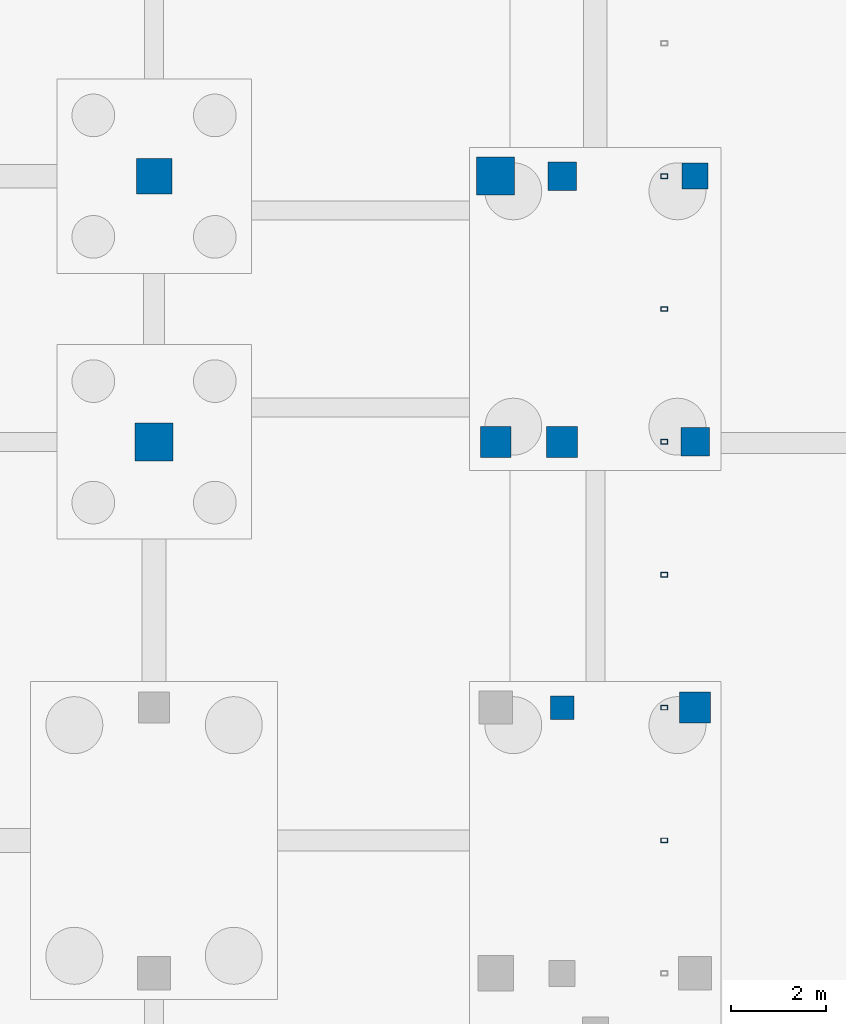
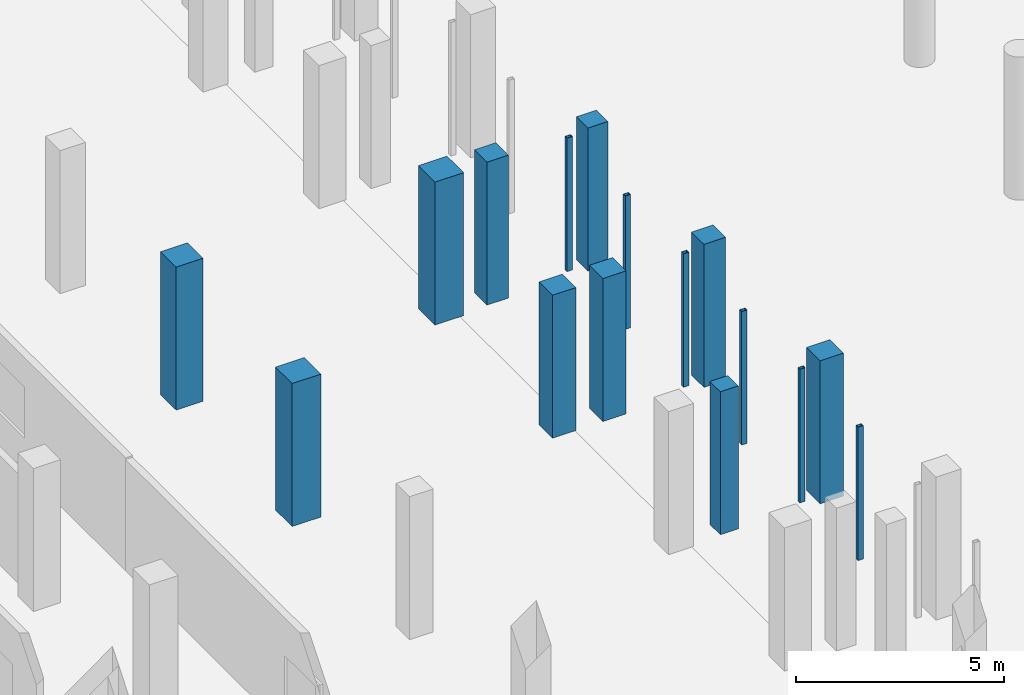
# One storey, part 13 of 34: 16 columns.
"""IFC4 building model written with IfcOpenShell, lengths in metres."""

from ifc_helpers import new_model, si_unit, direction, frame, origin, origin_2d, place, context, subcontext, project, spatial, rectangle, hollow_rectangle, extrude, material, material_profile, profile_set, type_object, element, save


model = new_model("IFC4")

# Units and contexts
model_context = context("Model", 3, precision=1e-05, world=origin(), true_north=direction((0.0, 1.0)))
body_context = subcontext(model_context, "Body", "Model", "MODEL_VIEW")
ifc_project = project(units=[si_unit("LENGTHUNIT", "METRE"), si_unit("AREAUNIT", "SQUARE_METRE"), si_unit("VOLUMEUNIT", "CUBIC_METRE"), si_unit("PLANEANGLEUNIT", "RADIAN"), si_unit("MASSUNIT", "GRAM", prefix="KILO")], contexts=[model_context])

# Site, building, storey
site_placement = place(None, origin())
site = spatial("IfcSite", under=ifc_project, at=site_placement, CompositionType="ELEMENT")
building_placement = place(site_placement, origin())
building = spatial("IfcBuilding", under=site, at=building_placement, Name="Vinh Khe Railworks Police Headquarters", CompositionType="ELEMENT")
storey_placement = place(building_placement, frame((0.0, 0.0, -4.199951171875)))
storey = spatial("IfcBuildingStorey", under=building, at=storey_placement, Name="B1", CompositionType="ELEMENT", Elevation=-4.199951171875)

# Columns
ifc_material_1 = material(Name="Steel S355JR", Category="steel")
ifc_material_profile_1 = material_profile(ifc_material_1, hollow_rectangle(XDim=0.14990234375, YDim=0.10009765625, WallThickness=0.008056640625, at=origin_2d()), Name="RHS 150x100x8")
ifc_profile_set_1 = profile_set([ifc_material_profile_1], Name="Steel S355JR")
column_type_1 = type_object("IfcColumnType", Name="COL-QUILT-POST", PredefinedType="COLUMN", material=ifc_profile_set_1)
for number, where, z_axis, x_axis, name in (
    (1, (25.75, 33.60009765625, 0.0), (0.0, 0.0, 1.0), (1.0, 0.0, 0.0), "Patchwork Quilt Plinth Column W-4 (B1)"),
    (2, (25.75, 36.39990234375, 0.0), (0.0, 0.0, 1.0), (1.0, 0.0, 0.0), "Patchwork Quilt Plinth Column W-5 (B1)"),
    (3, (25.75, 39.199951171875, 0.0), (0.0, 0.0, 1.0), (1.0, 0.0, 0.0), "Patchwork Quilt Plinth Column W-6 (B1)"),
    (4, (25.75, 42.0, 0.0), (0.0, 0.0, 1.0), (1.0, 0.0, 0.0), "Patchwork Quilt Plinth Column W-7 (B1)"),
    (5, (25.75, 44.800048828125, 0.0), (0.0, 0.0, 1.0), (1.0, 0.0, 0.0), "Patchwork Quilt Plinth Column W-8 (B1)"),
    (6, (25.75, 47.60009765625, 0.0), (0.0, 0.0, 1.0), (1.0, 0.0, 0.0), "Patchwork Quilt Plinth Column W-9 (B1)"),
):
    element("IfcColumn", number, at=place(storey_placement, frame(where, z_axis=z_axis, x_axis=x_axis)), inside=storey, type_object=column_type_1, Name=name, PredefinedType="COLUMN", context=body_context, shape_type="SweptSolid", body=[
        extrude(hollow_rectangle(XDim=0.14990234375, YDim=0.10009765625, WallThickness=0.008056640625, at=origin_2d()), origin(), (0.0, 0.0, 1.0), 3.919921875),
    ])
ifc_material_2 = material(Name="Concrete C40/50 (B40)", Category="concrete")
ifc_material_profile_2 = material_profile(ifc_material_2, rectangle(XDim=0.5, YDim=0.5, at=origin_2d()), Name="RC 500x500")
ifc_profile_set_2 = profile_set([ifc_material_profile_2], Name="Concrete C40/50 (B40)")
column_type_2 = type_object("IfcColumnType", Name="RC Column RC 500x500", PredefinedType="COLUMN", material=ifc_profile_set_2)
column_1_placement = place(storey_placement, frame((23.60009765625, 36.39990234375, 0.0), z_axis=(0.0, 0.0, 1.0), x_axis=(1.0, 0.0, 0.0)))
element("IfcColumn", 7, at=column_1_placement, inside=storey, type_object=column_type_2, Name="Column COL-B1-CC-07-0670", PredefinedType="COLUMN", context=body_context, shape_type="SweptSolid", body=[
    extrude(rectangle(XDim=0.5, YDim=0.5, at=origin_2d()), origin(), (0.0, 0.0, 1.0), 4.199951171875),
])
ifc_material_profile_3 = material_profile(ifc_material_2, rectangle(XDim=0.550048828125, YDim=0.550048828125, at=origin_2d()), Name="RC 550x550")
ifc_profile_set_3 = profile_set([ifc_material_profile_3], Name="Concrete C40/50 (B40)")
column_type_3 = type_object("IfcColumnType", Name="RC Column RC 550x550", PredefinedType="COLUMN", material=ifc_profile_set_3)
column_2_placement = place(storey_placement, frame((26.39990234375, 47.60009765625, 0.0), z_axis=(0.0, 0.0, 1.0), x_axis=(1.0, 0.0, 0.0)))
element("IfcColumn", 8, at=column_2_placement, inside=storey, type_object=column_type_3, Name="Column COL-B1-CC-06-0742", PredefinedType="COLUMN", context=body_context, shape_type="SweptSolid", body=[
    extrude(rectangle(XDim=0.550048828125, YDim=0.550048828125, at=origin_2d()), origin(), (0.0, 0.0, 1.0), 4.199951171875),
])
ifc_material_profile_4 = material_profile(ifc_material_2, rectangle(XDim=0.60009765625, YDim=0.60009765625, at=origin_2d()), Name="RC 600x600")
ifc_profile_set_4 = profile_set([ifc_material_profile_4], Name="Concrete C40/50 (B40)")
column_type_4 = type_object("IfcColumnType", Name="RC Column RC 600x600", PredefinedType="COLUMN", material=ifc_profile_set_4)
for number, where, z_axis, x_axis, name in (
    (9, (23.60009765625, 47.60009765625, 0.0), (0.0, 0.0, 1.0), (1.0, 0.0, 0.0), "Column COL-B1-CC-05-0680"),
    (10, (26.39990234375, 42.0, 0.0), (0.0, 0.0, 1.0), (1.0, 0.0, 0.0), "Column COL-B1-CC-05-0737"),
):
    element("IfcColumn", number, at=place(storey_placement, frame(where, z_axis=z_axis, x_axis=x_axis)), inside=storey, type_object=column_type_4, Name=name, PredefinedType="COLUMN", context=body_context, shape_type="SweptSolid", body=[
        extrude(rectangle(XDim=0.60009765625, YDim=0.60009765625, at=origin_2d()), origin(), (0.0, 0.0, 1.0), 4.199951171875),
    ])
ifc_material_profile_5 = material_profile(ifc_material_2, rectangle(XDim=0.64990234375, YDim=0.64990234375, at=origin_2d()), Name="RC 650x650")
ifc_profile_set_5 = profile_set([ifc_material_profile_5], Name="Concrete C40/50 (B40)")
column_type_5 = type_object("IfcColumnType", Name="RC Column RC 650x650", PredefinedType="COLUMN", material=ifc_profile_set_5)
for number, where, z_axis, x_axis, name in (
    (11, (22.199951171875, 42.0, 0.0), (0.0, 0.0, 1.0), (1.0, 0.0, 0.0), "Column COL-B1-CC-04-0544"),
    (12, (23.60009765625, 42.0, 0.0), (0.0, 0.0, 1.0), (1.0, 0.0, 0.0), "Column COL-B1-CC-04-0675"),
    (13, (26.39990234375, 36.39990234375, 0.0), (0.0, 0.0, 1.0), (1.0, 0.0, 0.0), "Column COL-B1-CC-04-0732"),
):
    element("IfcColumn", number, at=place(storey_placement, frame(where, z_axis=z_axis, x_axis=x_axis)), inside=storey, type_object=column_type_5, Name=name, PredefinedType="COLUMN", context=body_context, shape_type="SweptSolid", body=[
        extrude(rectangle(XDim=0.64990234375, YDim=0.64990234375, at=origin_2d()), origin(), (0.0, 0.0, 1.0), 4.199951171875),
    ])
ifc_material_profile_6 = material_profile(ifc_material_2, rectangle(XDim=0.75, YDim=0.75, at=origin_2d()), Name="RC 750x750")
ifc_profile_set_6 = profile_set([ifc_material_profile_6], Name="Concrete C40/50 (B40)")
column_type_6 = type_object("IfcColumnType", Name="RC Column RC 750x750", PredefinedType="COLUMN", material=ifc_profile_set_6)
column_3_placement = place(storey_placement, frame((15.0, 47.60009765625, 0.0), z_axis=(0.0, 0.0, 1.0), x_axis=(1.0, 0.0, 0.0)))
element("IfcColumn", 14, at=column_3_placement, inside=storey, type_object=column_type_6, Name="Column COL-B1-CC-02-0391", PredefinedType="COLUMN", context=body_context, shape_type="SweptSolid", body=[
    extrude(rectangle(XDim=0.75, YDim=0.75, at=origin_2d()), origin(), (0.0, 0.0, 1.0), 4.199951171875),
])
ifc_material_profile_7 = material_profile(ifc_material_2, rectangle(XDim=0.800048828125, YDim=0.800048828125, at=origin_2d()), Name="RC 800x800")
ifc_profile_set_7 = profile_set([ifc_material_profile_7], Name="Concrete C40/50 (B40)")
column_type_7 = type_object("IfcColumnType", Name="RC Column RC 800x800", PredefinedType="COLUMN", material=ifc_profile_set_7)
for number, where, z_axis, x_axis, name in (
    (15, (15.0, 42.0, 0.0), (0.0, 0.0, 1.0), (1.0, 0.0, 0.0), "Column COL-B1-CC-01-0381"),
    (16, (22.199951171875, 47.60009765625, 0.0), (0.0, 0.0, 1.0), (1.0, 0.0, 0.0), "Column COL-B1-CC-01-0553"),
):
    element("IfcColumn", number, at=place(storey_placement, frame(where, z_axis=z_axis, x_axis=x_axis)), inside=storey, type_object=column_type_7, Name=name, PredefinedType="COLUMN", context=body_context, shape_type="SweptSolid", body=[
        extrude(rectangle(XDim=0.800048828125, YDim=0.800048828125, at=origin_2d()), origin(), (0.0, 0.0, 1.0), 4.199951171875),
    ])

save(model, "model.ifc")
